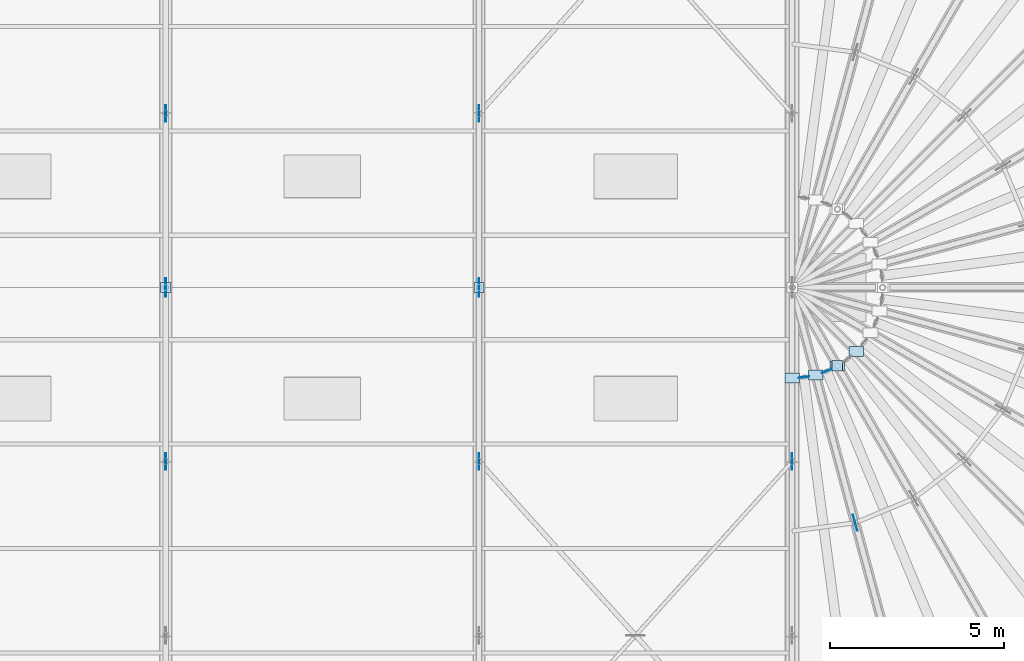
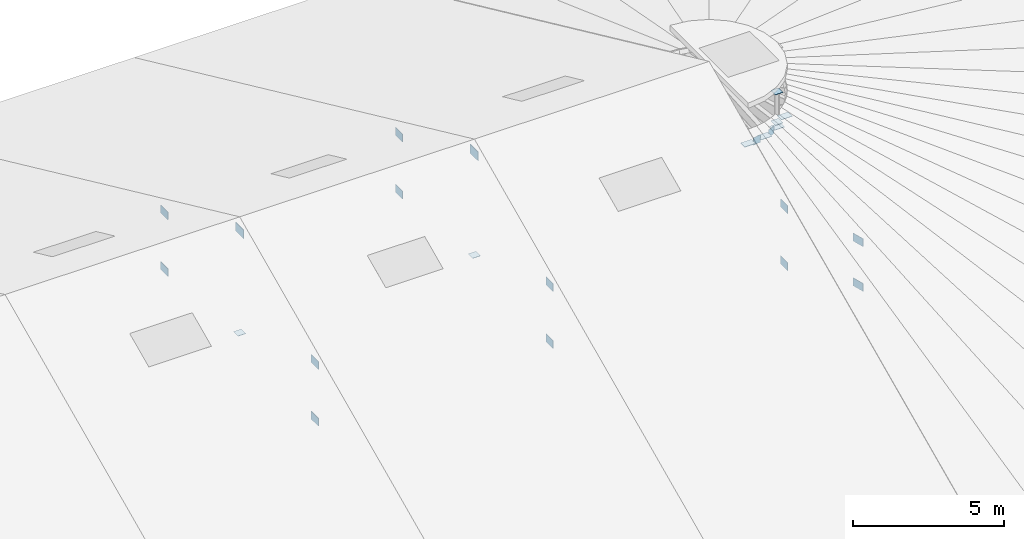
# One storey, part 92 of 107: 24 plates.
"""IFC4 building model written with IfcOpenShell, lengths in metres."""

from ifc_helpers import new_model, si_unit, derived_unit, direction, frame, origin, origin_2d, place, context, subcontext, project, spatial, rectangle, extrude, material, layer, layer_set, type_object, element, save


model = new_model("IFC4")

# Units and contexts
model_context = context("Model", 3, precision=1e-05, world=origin(), true_north=direction((0.0, 1.0)))
body_context = subcontext(model_context, "Body", "Model", "MODEL_VIEW")
ifc_project = project(units=[si_unit("LENGTHUNIT", "METRE"), si_unit("AREAUNIT", "SQUARE_METRE"), si_unit("VOLUMEUNIT", "CUBIC_METRE"), si_unit("PLANEANGLEUNIT", "RADIAN"), si_unit("MASSUNIT", "GRAM", prefix="KILO"), si_unit("THERMODYNAMICTEMPERATUREUNIT", "KELVIN"), si_unit("TIMEUNIT", "SECOND"), derived_unit("THERMALTRANSMITTANCEUNIT", [(si_unit("MASSUNIT", "GRAM", prefix="KILO"), 1), (si_unit("THERMODYNAMICTEMPERATUREUNIT", "KELVIN"), -1), (si_unit("TIMEUNIT", "SECOND"), -3)])], contexts=[model_context])

# Site, building, storey
site_placement = place(None, origin())
site = spatial("IfcSite", under=ifc_project, at=site_placement, CompositionType="ELEMENT")
building_placement = place(site_placement, origin())
building = spatial("IfcBuilding", under=site, at=building_placement, Name="Cambertide Market Hall", CompositionType="ELEMENT")
storey_placement = place(building_placement, frame((0.0, 0.0, 18.300048828125)))
storey = spatial("IfcBuildingStorey", under=building, at=storey_placement, Name="RF", CompositionType="ELEMENT", Elevation=18.300048828125)

# Plates
ifc_material_1 = material(Name="Steel S355", Category="steel")
ifc_layer_1 = layer(ifc_material_1, 0.013916015625, Name="Steel End Cap Plate EC-02")
ifc_layer_set_1 = layer_set([ifc_layer_1], Name="Steel S355")
plate_type_1 = type_object("IfcPlateType", Name="Steel End Cap Plate EC-02", PredefinedType="USERDEFINED", material=ifc_layer_set_1)
for number, where, z_axis, x_axis, name in (
    (1, (105.33935546875, 69.42236328125, -1.6962890625), (0.0, 0.0, 1.0), (0.13052619222, -0.991444861374, 0.0), "Crown Rafter End Cap Plate E-01"),
    (2, (105.994873046875, 69.597900390625, -1.6962890625), (0.0, 0.0, 1.0), (0.382683432365, -0.923879532511, 0.0), "Crown Rafter End Cap Plate E-03"),
):
    element("IfcPlate", number, at=place(storey_placement, frame(where, z_axis=z_axis, x_axis=x_axis)), inside=storey, type_object=plate_type_1, Name=name, ObjectType="END CAP PLATE", PredefinedType="USERDEFINED", context=body_context, shape_type="SweptSolid", body=[
        extrude(rectangle(XDim=0.013916015625, YDim=0.300048828125, at=origin_2d()), origin(), (0.0, 0.0, 1.0), 0.300048828125),
    ])
for number, where, z_axis, x_axis, name in (
    (3, (87.0, 72.0, -4.5068359375), (0.0, 0.0, 1.0), (1.0, 0.0, 0.0), "High-Bay Brace Connection End Cap Plate EC-BRN-065"),
    (4, (96.0, 72.0, -4.5068359375), (0.0, 0.0, 1.0), (1.0, 0.0, 0.0), "High-Bay Brace Connection End Cap Plate EC-BRN-076"),
    (5, (106.300048828125, 69.748291015625, -1.35302734375), (0.0, 0.0, 1.0), (1.0, 0.0, 0.0), "High-Bay Brace Connection End Cap Plate EC-BRN-227"),
    (6, (106.300048828125, 69.748291015625, -0.1171875), (0.0, 0.0, 1.0), (1.0, 0.0, 0.0), "High-Bay Brace Connection End Cap Plate EC-BRN-228"),
):
    element("IfcPlate", number, at=place(storey_placement, frame(where, z_axis=z_axis, x_axis=x_axis)), inside=storey, type_object=plate_type_1, Name=name, ObjectType="END CAP PLATE", PredefinedType="USERDEFINED", context=body_context, shape_type="SweptSolid", body=[
        extrude(rectangle(XDim=0.300048828125, YDim=0.300048828125, at=origin_2d()), origin(), (0.0, 0.0, 1.0), 0.013916015625),
    ])
ifc_material_2 = material(Name="Steel S355", Category="steel")
ifc_layer_2 = layer(ifc_material_2, 0.02001953125, Name="Steel Gusset Plate GP-01")
ifc_layer_set_2 = layer_set([ifc_layer_2], Name="Steel S355")
plate_type_2 = type_object("IfcPlateType", Name="Steel Gusset Plate GP-01", PredefinedType="USERDEFINED", material=ifc_layer_set_2)
for number, where, z_axis, x_axis, name in (
    (7, (87.0, 72.0, -0.5302734375), (0.0, 0.0, 1.0), (1.0, 0.0, 0.0), "Arch Truss 6 Node Gusset Plate 4"),
    (8, (96.0, 72.0, -0.5302734375), (0.0, 0.0, 1.0), (1.0, 0.0, 0.0), "Arch Truss 7 Node Gusset Plate 4"),
):
    element("IfcPlate", number, at=place(storey_placement, frame(where, z_axis=z_axis, x_axis=x_axis)), inside=storey, type_object=plate_type_2, Name=name, ObjectType="GUSSET PLATE", PredefinedType="USERDEFINED", context=body_context, shape_type="SweptSolid", body=[
        extrude(rectangle(XDim=0.02001953125, YDim=0.5400390625, at=origin_2d()), origin(), (0.0, 0.0, 1.0), 0.360107421875),
    ])
ifc_material_3 = material(Name="Steel S355", Category="steel")
ifc_layer_3 = layer(ifc_material_3, 0.01806640625, Name="Steel Gusset Plate GP-02")
ifc_layer_set_3 = layer_set([ifc_layer_3], Name="Steel S355")
plate_type_3 = type_object("IfcPlateType", Name="Steel Gusset Plate GP-02", PredefinedType="USERDEFINED", material=ifc_layer_set_3)
for number, where, z_axis, x_axis, name in (
    (9, (87.0, 67.0, -2.81005859375), (0.0, 0.0, 1.0), (1.0, 0.0, 0.0), "Arch Truss 6 Node Gusset Plate 3"),
    (10, (87.0, 77.0, -2.81005859375), (0.0, 0.0, 1.0), (1.0, 0.0, 0.0), "Arch Truss 6 Node Gusset Plate 5"),
    (11, (96.0, 67.0, -2.81005859375), (0.0, 0.0, 1.0), (1.0, 0.0, 0.0), "Arch Truss 7 Node Gusset Plate 3"),
    (12, (96.0, 77.0, -2.81005859375), (0.0, 0.0, 1.0), (1.0, 0.0, 0.0), "Arch Truss 7 Node Gusset Plate 5"),
    (13, (105.0, 67.0, -2.81005859375), (0.0, 0.0, 1.0), (1.0, 0.0, 0.0), "Arch Truss 8 Node Gusset Plate 3"),
):
    element("IfcPlate", number, at=place(storey_placement, frame(where, z_axis=z_axis, x_axis=x_axis)), inside=storey, type_object=plate_type_3, Name=name, ObjectType="GUSSET PLATE", PredefinedType="USERDEFINED", context=body_context, shape_type="SweptSolid", body=[
        extrude(rectangle(XDim=0.01806640625, YDim=0.47998046875, at=origin_2d()), origin(), (0.0, 0.0, 1.0), 0.320068359375),
    ])
for number, where, z_axis, x_axis, name in (
    (14, (87.0, 67.0, -5.115234375), (0.0, 0.0, 1.0), (0.0, 1.0, 0.0), "High-Bay Brace Connection Gusset Plate GP-BRN-059"),
    (15, (87.0, 77.0, -5.115234375), (0.0, 0.0, 1.0), (0.0, 1.0, 0.0), "High-Bay Brace Connection Gusset Plate GP-BRN-060"),
    (16, (96.0, 67.0, -5.115234375), (0.0, 0.0, 1.0), (0.0, 1.0, 0.0), "High-Bay Brace Connection Gusset Plate GP-BRN-070"),
    (17, (96.0, 77.0, -5.115234375), (0.0, 0.0, 1.0), (0.0, 1.0, 0.0), "High-Bay Brace Connection Gusset Plate GP-BRN-071"),
    (18, (105.0, 67.0, -5.115234375), (0.0, 0.0, 1.0), (0.0, 1.0, 0.0), "High-Bay Brace Connection Gusset Plate GP-BRN-081"),
    (19, (106.811767578125, 65.238525390625, -5.54150390625), (0.0, 0.0, 1.0), (-0.258819045103, 0.965925826289, 0.0), "High-Bay Brace Connection Gusset Plate GP-BRN-161"),
    (20, (106.811767578125, 65.238525390625, -3.72998046875), (0.0, 0.0, 1.0), (-0.258819045103, 0.965925826289, 0.0), "High-Bay Brace Connection Gusset Plate GP-BRN-163"),
):
    element("IfcPlate", number, at=place(storey_placement, frame(where, z_axis=z_axis, x_axis=x_axis)), inside=storey, type_object=plate_type_3, Name=name, ObjectType="GUSSET PLATE", PredefinedType="USERDEFINED", context=body_context, shape_type="SweptSolid", body=[
        extrude(rectangle(XDim=0.47998046875, YDim=0.01806640625, at=origin_2d()), origin(), (0.0, 0.0, 1.0), 0.320068359375),
    ])
ifc_material_4 = material(Name="Steel S355", Category="steel")
ifc_layer_4 = layer(ifc_material_4, 0.01611328125, Name="Steel Gusset Plate GP-03")
ifc_layer_set_4 = layer_set([ifc_layer_4], Name="Steel S355")
plate_type_4 = type_object("IfcPlateType", Name="Steel Gusset Plate GP-03", PredefinedType="USERDEFINED", material=ifc_layer_set_4)
for number, where, z_axis, x_axis, name in (
    (21, (105.0, 69.39990234375, -1.55419921875), (0.0, 0.0, 1.0), (1.0, 0.0, 0.0), "Crown Ring Gusset Plate E-1"),
    (22, (105.6728515625, 69.488525390625, -1.55419921875), (0.0, 0.0, 1.0), (1.0, 0.0, 0.0), "Crown Ring Gusset Plate E-2"),
    (23, (106.300048828125, 69.748291015625, -1.55419921875), (0.0, 0.0, 1.0), (1.0, 0.0, 0.0), "Crown Ring Gusset Plate E-3"),
    (24, (106.83837890625, 70.16162109375, -1.55419921875), (0.0, 0.0, 1.0), (1.0, 0.0, 0.0), "Crown Ring Gusset Plate E-4"),
):
    element("IfcPlate", number, at=place(storey_placement, frame(where, z_axis=z_axis, x_axis=x_axis)), inside=storey, type_object=plate_type_4, Name=name, ObjectType="GUSSET PLATE", PredefinedType="USERDEFINED", context=body_context, shape_type="SweptSolid", body=[
        extrude(rectangle(XDim=0.419921875, YDim=0.280029296875, at=origin_2d()), origin(), (0.0, 0.0, 1.0), 0.01611328125),
    ])

save(model, "model.ifc")
